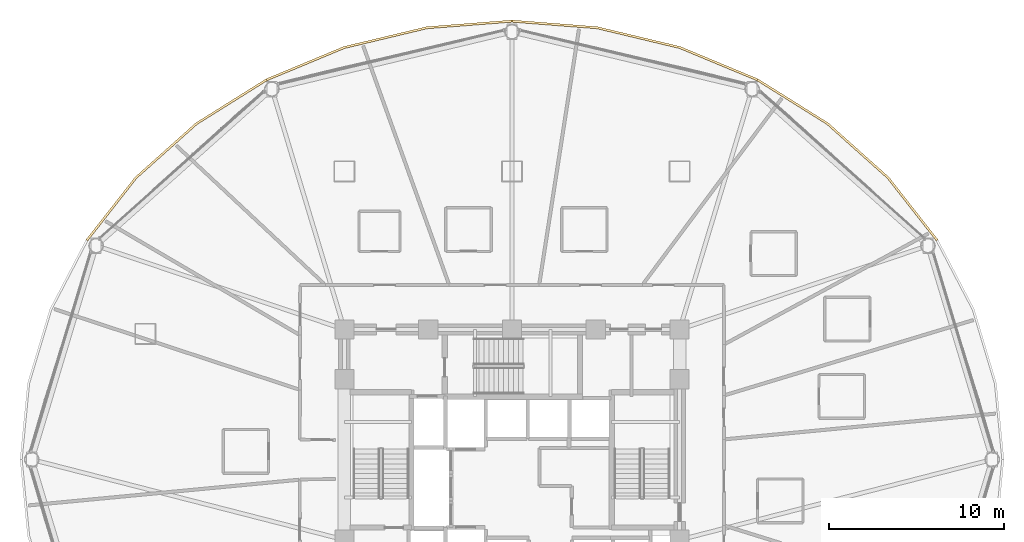
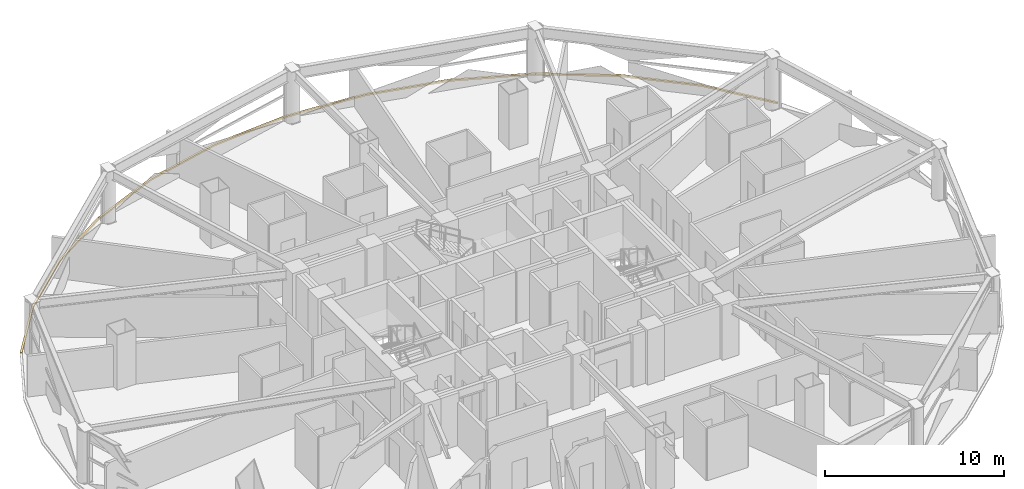
# One storey, part 30 of 30: 4 coverings.
"""IFC4 building model written with IfcOpenShell, lengths in metres."""

from ifc_helpers import new_model, si_unit, direction, frame, origin, place, context, subcontext, project, spatial, polyline, outline, extrude, material, layer, layer_set, type_object, element, save


model = new_model("IFC4")

# Units and contexts
model_context = context("Model", 3, precision=1e-05, world=origin(), true_north=direction((0.0, 1.0)))
body_context = subcontext(model_context, "Body", "Model", "MODEL_VIEW")
ifc_project = project(units=[si_unit("LENGTHUNIT", "METRE"), si_unit("AREAUNIT", "SQUARE_METRE"), si_unit("VOLUMEUNIT", "CUBIC_METRE"), si_unit("PLANEANGLEUNIT", "RADIAN"), si_unit("MASSUNIT", "GRAM", prefix="KILO")], contexts=[model_context])

# Site, building, storey
site_placement = place(None, origin())
site = spatial("IfcSite", under=ifc_project, at=site_placement, CompositionType="ELEMENT")
building_placement = place(site_placement, origin())
building = spatial("IfcBuilding", under=site, at=building_placement, Name="Vantalir Tower", CompositionType="ELEMENT")
storey_placement = place(building_placement, frame((0.0, 0.0, 83.25)))
storey = spatial("IfcBuildingStorey", under=building, at=storey_placement, Name="L20", CompositionType="ELEMENT", Elevation=83.25)

# Coverings
ifc_material = material(Name="Anodised champagne aluminium sill fascia", Category="aluminium")
ifc_layer = layer(ifc_material, 0.125)
ifc_layer_set = layer_set([ifc_layer], Name="Anodised champagne aluminium sill fascia")
covering_type = type_object("IfcCoveringType", Name="COV-SLAB-FASCIA-125", PredefinedType="CLADDING", material=ifc_layer_set)
covering_1_placement = place(storey_placement, frame((0.0, 0.0, -0.179931640625)))
element("IfcCovering", 1, at=covering_1_placement, inside=storey, type_object=covering_type, Name="L20 Perimeter Slab-Edge Sill Fascia 02", PredefinedType="CLADDING", context=body_context, shape_type="SweptSolid", body=[
    extrude(outline(polyline([(55.89990234375, 37.5849609375), (53.0830078125, 41.178955078125), (49.611083984375, 44.281005859375), (45.587890625, 46.798095703125), (45.52490234375, 46.68994140625), (49.530029296875, 44.18603515625), (52.988037109375, 41.09912109375), (55.7919921875, 37.52197265625), (55.89990234375, 37.5849609375)])), origin(), (0.0, 0.0, 1.0), 0.10498046875),
])
covering_2_placement = place(storey_placement, frame((0.0, 0.0, -0.179931640625)))
element("IfcCovering", 2, at=covering_2_placement, inside=storey, type_object=covering_type, Name="L20 Perimeter Slab-Edge Sill Fascia 03", PredefinedType="CLADDING", context=body_context, shape_type="SweptSolid", body=[
    extrude(outline(polyline([(45.587890625, 46.798095703125), (41.135986328125, 48.652099609375), (36.39306640625, 49.7880859375), (31.5, 50.169921875), (31.5, 50.044921875), (36.37109375, 49.6650390625), (41.093994140625, 48.534912109375), (45.52490234375, 46.68994140625), (45.587890625, 46.798095703125)])), origin(), (0.0, 0.0, 1.0), 0.10498046875),
])
covering_3_placement = place(storey_placement, frame((0.0, 0.0, -0.179931640625)))
element("IfcCovering", 3, at=covering_3_placement, inside=storey, type_object=covering_type, Name="L20 Perimeter Slab-Edge Sill Fascia 04", PredefinedType="CLADDING", context=body_context, shape_type="SweptSolid", body=[
    extrude(outline(polyline([(31.5, 50.169921875), (26.60693359375, 49.7880859375), (21.864013671875, 48.652099609375), (17.4130859375, 46.798095703125), (17.47509765625, 46.68994140625), (21.906005859375, 48.534912109375), (26.62890625, 49.6650390625), (31.5, 50.044921875), (31.5, 50.169921875)])), origin(), (0.0, 0.0, 1.0), 0.10498046875),
])
covering_4_placement = place(storey_placement, frame((0.0, 0.0, -0.179931640625)))
element("IfcCovering", 4, at=covering_4_placement, inside=storey, type_object=covering_type, Name="L20 Perimeter Slab-Edge Sill Fascia 05", PredefinedType="CLADDING", context=body_context, shape_type="SweptSolid", body=[
    extrude(outline(polyline([(17.4130859375, 46.798095703125), (13.388916015625, 44.281005859375), (9.9169921875, 41.178955078125), (7.10009765625, 37.5849609375), (7.2080078125, 37.52197265625), (10.011962890625, 41.09912109375), (13.469970703125, 44.18603515625), (17.47509765625, 46.68994140625), (17.4130859375, 46.798095703125)])), origin(), (0.0, 0.0, 1.0), 0.10498046875),
])

save(model, "model.ifc")
